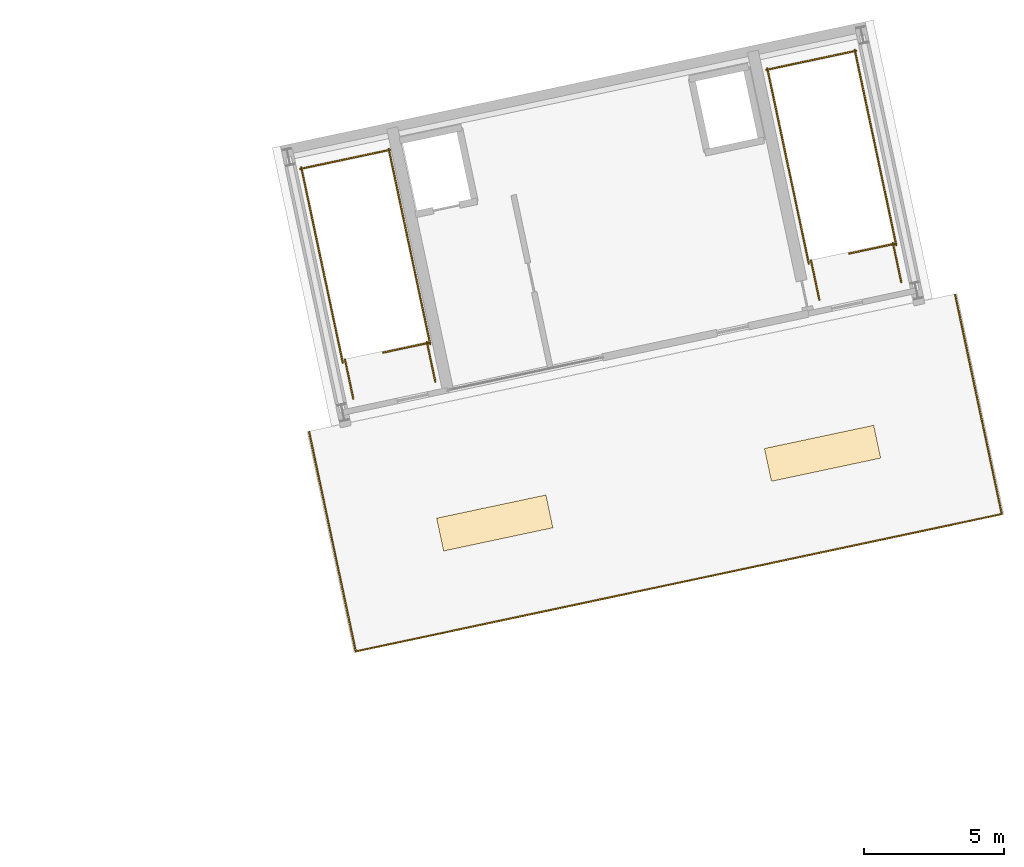
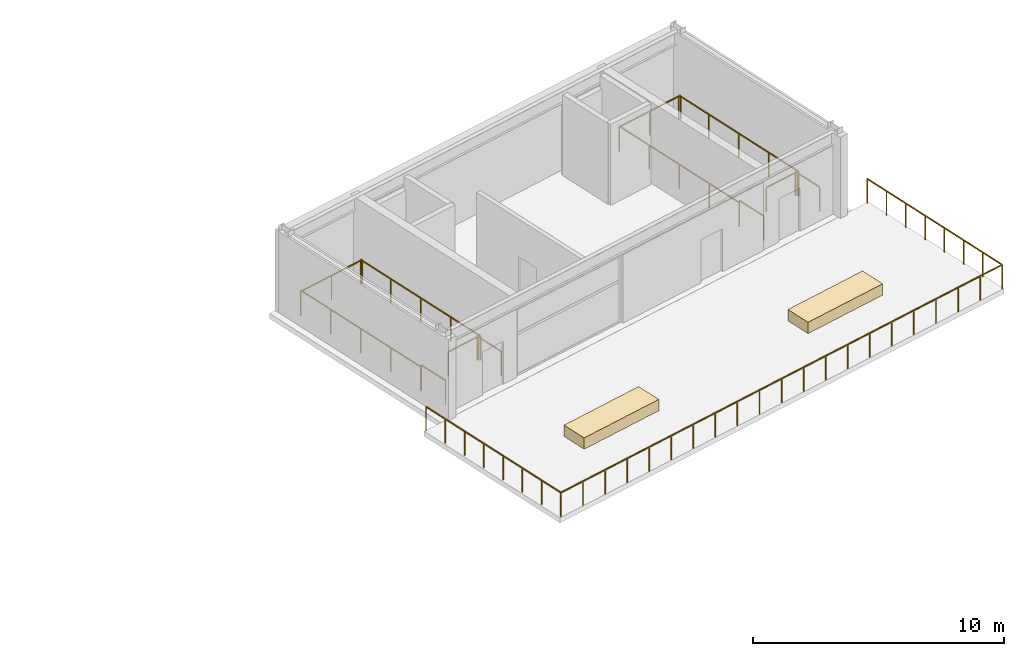
# One storey, part 16 of 16: 15 railings, 2 coverings.
"""IFC4 building model written with IfcOpenShell, lengths in metres."""

from ifc_helpers import new_model, si_unit, direction, frame, origin, origin_2d, place, context, subcontext, project, spatial, rectangle, extrude, material, layer, layer_set, type_object, element, save


model = new_model("IFC4")

# Units and contexts
model_context = context("Model", 3, precision=1e-05, world=origin(), true_north=direction((0.0, 1.0)))
body_context = subcontext(model_context, "Body", "Model", "MODEL_VIEW")
ifc_project = project(units=[si_unit("LENGTHUNIT", "METRE"), si_unit("AREAUNIT", "SQUARE_METRE"), si_unit("VOLUMEUNIT", "CUBIC_METRE"), si_unit("PLANEANGLEUNIT", "RADIAN"), si_unit("MASSUNIT", "GRAM", prefix="KILO")], contexts=[model_context])

# Site, building, storey
site_placement = place(None, origin())
site = spatial("IfcSite", under=ifc_project, at=site_placement, CompositionType="ELEMENT")
building_placement = place(site_placement, origin())
building = spatial("IfcBuilding", under=site, at=building_placement, Name="Haevon Station Towers", CompositionType="ELEMENT")
storey_placement = place(building_placement, frame((0.0, 0.0, 235.199951171875)))
storey = spatial("IfcBuildingStorey", under=building, at=storey_placement, Name="L65", CompositionType="ELEMENT", Elevation=235.199951171875)

# Railings
ifc_material_1 = material(Name="Steel S355", Category="steel")
railing_type_1 = type_object("IfcRailingType", Name="GRD-EXT1200", PredefinedType="GUARDRAIL", material=ifc_material_1)
railing_1_placement = place(storey_placement, frame((99.216796875, 28.8876953125, 0.0)))
element("IfcRailing", 1, at=railing_1_placement, inside=storey, type_object=railing_type_1, Name="L65 Perimeter Guardrail 1", PredefinedType="GUARDRAIL", context=body_context, shape_type="SweptSolid", body=[
    extrude(rectangle(XDim=0.048095703125, YDim=0.048095703125, at=origin_2d()), frame((0.0, 0.0, 1.17578125), z_axis=(0.978146150172, 0.207918515055, 0.0), x_axis=(-0.207918515055, 0.978146150172, 0.0)), (0.0, 0.0, 1.0), 23.648681640625),
    extrude(rectangle(XDim=0.0419921875, YDim=0.0419921875, at=origin_2d()), origin(), (0.0, 0.0, 1.0), 1.15185546875),
    extrude(rectangle(XDim=0.0419921875, YDim=0.0419921875, at=origin_2d()), frame((1.156494140625, 0.245849609375, 0.0)), (0.0, 0.0, 1.0), 1.15185546875),
    extrude(rectangle(XDim=0.0419921875, YDim=0.0419921875, at=origin_2d()), frame((2.313232421875, 0.49169921875, 0.0)), (0.0, 0.0, 1.0), 1.15185546875),
    extrude(rectangle(XDim=0.0419921875, YDim=0.0419921875, at=origin_2d()), frame((3.4697265625, 0.737548828125, 0.0)), (0.0, 0.0, 1.0), 1.15185546875),
    extrude(rectangle(XDim=0.0419921875, YDim=0.0419921875, at=origin_2d()), frame((4.62646484375, 0.9833984375, 0.0)), (0.0, 0.0, 1.0), 1.15185546875),
    extrude(rectangle(XDim=0.0419921875, YDim=0.0419921875, at=origin_2d()), frame((5.782958984375, 1.229248046875, 0.0)), (0.0, 0.0, 1.0), 1.15185546875),
    extrude(rectangle(XDim=0.0419921875, YDim=0.0419921875, at=origin_2d()), frame((6.939453125, 1.47509765625, 0.0)), (0.0, 0.0, 1.0), 1.15185546875),
    extrude(rectangle(XDim=0.0419921875, YDim=0.0419921875, at=origin_2d()), frame((8.09619140625, 1.720947265625, 0.0)), (0.0, 0.0, 1.0), 1.15185546875),
    extrude(rectangle(XDim=0.0419921875, YDim=0.0419921875, at=origin_2d()), frame((9.252685546875, 1.966796875, 0.0)), (0.0, 0.0, 1.0), 1.15185546875),
    extrude(rectangle(XDim=0.0419921875, YDim=0.0419921875, at=origin_2d()), frame((10.409423828125, 2.212646484375, 0.0)), (0.0, 0.0, 1.0), 1.15185546875),
    extrude(rectangle(XDim=0.0419921875, YDim=0.0419921875, at=origin_2d()), frame((11.56591796875, 2.45849609375, 0.0)), (0.0, 0.0, 1.0), 1.15185546875),
    extrude(rectangle(XDim=0.0419921875, YDim=0.0419921875, at=origin_2d()), frame((12.722412109375, 2.704345703125, 0.0)), (0.0, 0.0, 1.0), 1.15185546875),
    extrude(rectangle(XDim=0.0419921875, YDim=0.0419921875, at=origin_2d()), frame((13.879150390625, 2.9501953125, 0.0)), (0.0, 0.0, 1.0), 1.15185546875),
    extrude(rectangle(XDim=0.0419921875, YDim=0.0419921875, at=origin_2d()), frame((15.03564453125, 3.196044921875, 0.0)), (0.0, 0.0, 1.0), 1.15185546875),
    extrude(rectangle(XDim=0.0419921875, YDim=0.0419921875, at=origin_2d()), frame((16.1923828125, 3.44189453125, 0.0)), (0.0, 0.0, 1.0), 1.15185546875),
    extrude(rectangle(XDim=0.0419921875, YDim=0.0419921875, at=origin_2d()), frame((17.348876953125, 3.687744140625, 0.0)), (0.0, 0.0, 1.0), 1.15185546875),
    extrude(rectangle(XDim=0.0419921875, YDim=0.0419921875, at=origin_2d()), frame((18.50537109375, 3.93359375, 0.0)), (0.0, 0.0, 1.0), 1.15185546875),
    extrude(rectangle(XDim=0.0419921875, YDim=0.0419921875, at=origin_2d()), frame((19.662109375, 4.179443359375, 0.0)), (0.0, 0.0, 1.0), 1.15185546875),
    extrude(rectangle(XDim=0.0419921875, YDim=0.0419921875, at=origin_2d()), frame((20.818603515625, 4.42529296875, 0.0)), (0.0, 0.0, 1.0), 1.15185546875),
    extrude(rectangle(XDim=0.0419921875, YDim=0.0419921875, at=origin_2d()), frame((21.975341796875, 4.671142578125, 0.0)), (0.0, 0.0, 1.0), 1.15185546875),
    extrude(rectangle(XDim=0.0419921875, YDim=0.0419921875, at=origin_2d()), frame((23.1318359375, 4.9169921875, 0.0)), (0.0, 0.0, 1.0), 1.15185546875),
])
railing_2_placement = place(storey_placement, frame((122.3486328125, 33.8046875, 0.0)))
element("IfcRailing", 2, at=railing_2_placement, inside=storey, type_object=railing_type_1, Name="L65 Perimeter Guardrail 2", PredefinedType="GUARDRAIL", context=body_context, shape_type="SweptSolid", body=[
    extrude(rectangle(XDim=0.048095703125, YDim=0.048095703125, at=origin_2d()), frame((0.0, 0.0, 1.17578125), z_axis=(-0.207930721623, 0.978143555418, 0.0), x_axis=(-0.978143555418, -0.207930721623, 0.0)), (0.0, 0.0, 1.0), 8.033447265625),
    extrude(rectangle(XDim=0.0419921875, YDim=0.0419921875, at=origin_2d()), origin(), (0.0, 0.0, 1.0), 1.15185546875),
    extrude(rectangle(XDim=0.0419921875, YDim=0.0419921875, at=origin_2d()), frame((-0.238525390625, 1.12255859375, 0.0)), (0.0, 0.0, 1.0), 1.15185546875),
    extrude(rectangle(XDim=0.0419921875, YDim=0.0419921875, at=origin_2d()), frame((-0.477294921875, 2.2451171875, 0.0)), (0.0, 0.0, 1.0), 1.15185546875),
    extrude(rectangle(XDim=0.0419921875, YDim=0.0419921875, at=origin_2d()), frame((-0.7158203125, 3.36767578125, 0.0)), (0.0, 0.0, 1.0), 1.15185546875),
    extrude(rectangle(XDim=0.0419921875, YDim=0.0419921875, at=origin_2d()), frame((-0.95458984375, 4.490234375, 0.0)), (0.0, 0.0, 1.0), 1.15185546875),
    extrude(rectangle(XDim=0.0419921875, YDim=0.0419921875, at=origin_2d()), frame((-1.193115234375, 5.61279296875, 0.0)), (0.0, 0.0, 1.0), 1.15185546875),
    extrude(rectangle(XDim=0.0419921875, YDim=0.0419921875, at=origin_2d()), frame((-1.431884765625, 6.7353515625, 0.0)), (0.0, 0.0, 1.0), 1.15185546875),
    extrude(rectangle(XDim=0.0419921875, YDim=0.0419921875, at=origin_2d()), frame((-1.67041015625, 7.85791015625, 0.0)), (0.0, 0.0, 1.0), 1.15185546875),
])
railing_3_placement = place(storey_placement, frame((97.546630859375, 36.745849609375, 0.0)))
element("IfcRailing", 3, at=railing_3_placement, inside=storey, type_object=railing_type_1, Name="L65 Perimeter Guardrail 3", PredefinedType="GUARDRAIL", context=body_context, shape_type="SweptSolid", body=[
    extrude(rectangle(XDim=0.048095703125, YDim=0.048095703125, at=origin_2d()), frame((0.0, 0.0, 1.17578125), z_axis=(0.20789546493, -0.978151049512, 0.0), x_axis=(0.978151049512, 0.20789546493, 0.0)), (0.0, 0.0, 1.0), 8.03369140625),
    extrude(rectangle(XDim=0.0419921875, YDim=0.0419921875, at=origin_2d()), origin(), (0.0, 0.0, 1.0), 1.15185546875),
    extrude(rectangle(XDim=0.0419921875, YDim=0.0419921875, at=origin_2d()), frame((0.238525390625, -1.12255859375, 0.0)), (0.0, 0.0, 1.0), 1.15185546875),
    extrude(rectangle(XDim=0.0419921875, YDim=0.0419921875, at=origin_2d()), frame((0.477294921875, -2.2451171875, 0.0)), (0.0, 0.0, 1.0), 1.15185546875),
    extrude(rectangle(XDim=0.0419921875, YDim=0.0419921875, at=origin_2d()), frame((0.7158203125, -3.36767578125, 0.0)), (0.0, 0.0, 1.0), 1.15185546875),
    extrude(rectangle(XDim=0.0419921875, YDim=0.0419921875, at=origin_2d()), frame((0.954345703125, -4.490478515625, 0.0)), (0.0, 0.0, 1.0), 1.15185546875),
    extrude(rectangle(XDim=0.0419921875, YDim=0.0419921875, at=origin_2d()), frame((1.19287109375, -5.613037109375, 0.0)), (0.0, 0.0, 1.0), 1.15185546875),
    extrude(rectangle(XDim=0.0419921875, YDim=0.0419921875, at=origin_2d()), frame((1.431640625, -6.735595703125, 0.0)), (0.0, 0.0, 1.0), 1.15185546875),
    extrude(rectangle(XDim=0.0419921875, YDim=0.0419921875, at=origin_2d()), frame((1.670166015625, -7.858154296875, 0.0)), (0.0, 0.0, 1.0), 1.15185546875),
])
railing_type_2 = type_object("IfcRailingType", Name="GRD-STR1200", PredefinedType="GUARDRAIL", material=ifc_material_1)
railing_4_placement = place(storey_placement, frame((101.8212890625, 39.934814453125, 0.0)))
element("IfcRailing", 4, at=railing_4_placement, inside=storey, type_object=railing_type_2, Name="L65 ST3 Top Well Guard 1", PredefinedType="GUARDRAIL", context=body_context, shape_type="SweptSolid", body=[
    extrude(rectangle(XDim=0.048095703125, YDim=0.048095703125, at=origin_2d()), frame((0.0, 0.0, 1.17578125), z_axis=(-0.978153962198, -0.207881760231, 0.0), x_axis=(0.207881760231, -0.978153962198, 0.0)), (0.0, 0.0, 1.0), 1.650146484375),
    extrude(rectangle(XDim=0.0419921875, YDim=0.0419921875, at=origin_2d()), origin(), (0.0, 0.0, 1.0), 1.15185546875),
    extrude(rectangle(XDim=0.0419921875, YDim=0.0419921875, at=origin_2d()), frame((-1.614013671875, -0.343017578125, 0.0)), (0.0, 0.0, 1.0), 1.15185546875),
])
railing_5_placement = place(storey_placement, frame((101.88037109375, 39.896484375, 0.0)))
element("IfcRailing", 5, at=railing_5_placement, inside=storey, type_object=railing_type_2, Name="L65 ST3 Top Well Guard 2", PredefinedType="GUARDRAIL", context=body_context, shape_type="SweptSolid", body=[
    extrude(rectangle(XDim=0.048095703125, YDim=0.048095703125, at=origin_2d()), frame((0.0, 0.0, 1.17578125), z_axis=(-0.207882442208, 0.978153817261, 0.0), x_axis=(-0.978153817261, -0.207882442208, 0.0)), (0.0, 0.0, 1.0), 7.14990234375),
    extrude(rectangle(XDim=0.0419921875, YDim=0.0419921875, at=origin_2d()), origin(), (0.0, 0.0, 1.0), 1.15185546875),
    extrude(rectangle(XDim=0.0419921875, YDim=0.0419921875, at=origin_2d()), frame((-0.37158203125, 1.74853515625, 0.0)), (0.0, 0.0, 1.0), 1.15185546875),
    extrude(rectangle(XDim=0.0419921875, YDim=0.0419921875, at=origin_2d()), frame((-0.7431640625, 3.496826171875, 0.0)), (0.0, 0.0, 1.0), 1.15185546875),
    extrude(rectangle(XDim=0.0419921875, YDim=0.0419921875, at=origin_2d()), frame((-1.11474609375, 5.2451171875, 0.0)), (0.0, 0.0, 1.0), 1.15185546875),
    extrude(rectangle(XDim=0.0419921875, YDim=0.0419921875, at=origin_2d()), frame((-1.486328125, 6.99365234375, 0.0)), (0.0, 0.0, 1.0), 1.15185546875),
])
railing_6_placement = place(storey_placement, frame((98.75048828125, 39.231201171875, 0.0)))
element("IfcRailing", 6, at=railing_6_placement, inside=storey, type_object=railing_type_2, Name="L65 ST3 Top Well Guard 3", PredefinedType="GUARDRAIL", context=body_context, shape_type="SweptSolid", body=[
    extrude(rectangle(XDim=0.048095703125, YDim=0.048095703125, at=origin_2d()), frame((0.0, 0.0, 1.17578125), z_axis=(-0.207915112487, 0.978146873429, 0.0), x_axis=(-0.978146873429, -0.207915112487, 0.0)), (0.0, 0.0, 1.0), 7.14990234375),
    extrude(rectangle(XDim=0.0419921875, YDim=0.0419921875, at=origin_2d()), origin(), (0.0, 0.0, 1.0), 1.15185546875),
    extrude(rectangle(XDim=0.0419921875, YDim=0.0419921875, at=origin_2d()), frame((-0.37158203125, 1.74853515625, 0.0)), (0.0, 0.0, 1.0), 1.15185546875),
    extrude(rectangle(XDim=0.0419921875, YDim=0.0419921875, at=origin_2d()), frame((-0.7431640625, 3.496826171875, 0.0)), (0.0, 0.0, 1.0), 1.15185546875),
    extrude(rectangle(XDim=0.0419921875, YDim=0.0419921875, at=origin_2d()), frame((-1.114990234375, 5.2451171875, 0.0)), (0.0, 0.0, 1.0), 1.15185546875),
    extrude(rectangle(XDim=0.0419921875, YDim=0.0419921875, at=origin_2d()), frame((-1.486572265625, 6.99365234375, 0.0)), (0.0, 0.0, 1.0), 1.15185546875),
])
railing_7_placement = place(storey_placement, frame((100.453125, 46.8515625, 0.0)))
element("IfcRailing", 7, at=railing_7_placement, inside=storey, type_object=railing_type_2, Name="L65 ST3 Top Well Guard 4", PredefinedType="GUARDRAIL", context=body_context, shape_type="SweptSolid", body=[
    extrude(rectangle(XDim=0.048095703125, YDim=0.048095703125, at=origin_2d()), frame((0.0, 0.0, 1.17578125), z_axis=(-0.978150764849, -0.207896804268, 0.0), x_axis=(0.207896804268, -0.978150764849, 0.0)), (0.0, 0.0, 1.0), 3.2998046875),
    extrude(rectangle(XDim=0.0419921875, YDim=0.0419921875, at=origin_2d()), origin(), (0.0, 0.0, 1.0), 1.15185546875),
    extrude(rectangle(XDim=0.0419921875, YDim=0.0419921875, at=origin_2d()), frame((-1.61376953125, -0.343017578125, 0.0)), (0.0, 0.0, 1.0), 1.15185546875),
    extrude(rectangle(XDim=0.0419921875, YDim=0.0419921875, at=origin_2d()), frame((-3.227783203125, -0.68603515625, 0.0)), (0.0, 0.0, 1.0), 1.15185546875),
])
for number, where, name in (
    (8, (102.0634765625, 38.55517578125, 0.0), "L65 ST3 Top Well Guard 5"),
    (9, (99.12890625, 37.931396484375, 0.0), "L65 ST3 Top Well Guard 6"),
):
    element("IfcRailing", number, at=place(storey_placement, frame(where)), inside=storey, type_object=railing_type_2, Name=name, PredefinedType="GUARDRAIL", context=body_context, shape_type="SweptSolid", body=[
        extrude(rectangle(XDim=0.048095703125, YDim=0.048095703125, at=origin_2d()), frame((0.0, 0.0, 1.17578125), z_axis=(-0.207953405961, 0.978138732977, 0.0), x_axis=(-0.978138732977, -0.207953405961, 0.0)), (0.0, 0.0, 1.0), 1.449951171875),
        extrude(rectangle(XDim=0.0419921875, YDim=0.0419921875, at=origin_2d()), origin(), (0.0, 0.0, 1.0), 1.15185546875),
        extrude(rectangle(XDim=0.0419921875, YDim=0.0419921875, at=origin_2d()), frame((-0.301513671875, 1.418212890625, 0.0)), (0.0, 0.0, 1.0), 1.15185546875),
    ])
railing_8_placement = place(storey_placement, frame((118.50830078125, 43.48193359375, 0.0)))
element("IfcRailing", 10, at=railing_8_placement, inside=storey, type_object=railing_type_2, Name="L65 ST4 Top Well Guard 1", PredefinedType="GUARDRAIL", context=body_context, shape_type="SweptSolid", body=[
    extrude(rectangle(XDim=0.048095703125, YDim=0.048095703125, at=origin_2d()), frame((0.0, 0.0, 1.17578125), z_axis=(-0.978147566806, -0.207911850433, 0.0), x_axis=(0.207911850433, -0.978147566806, 0.0)), (0.0, 0.0, 1.0), 1.64990234375),
    extrude(rectangle(XDim=0.0419921875, YDim=0.0419921875, at=origin_2d()), origin(), (0.0, 0.0, 1.0), 1.15185546875),
    extrude(rectangle(XDim=0.0419921875, YDim=0.0419921875, at=origin_2d()), frame((-1.61376953125, -0.343017578125, 0.0)), (0.0, 0.0, 1.0), 1.15185546875),
])
railing_9_placement = place(storey_placement, frame((118.567626953125, 43.443359375, 0.0)))
element("IfcRailing", 11, at=railing_9_placement, inside=storey, type_object=railing_type_2, Name="L65 ST4 Top Well Guard 2", PredefinedType="GUARDRAIL", context=body_context, shape_type="SweptSolid", body=[
    extrude(rectangle(XDim=0.048095703125, YDim=0.048095703125, at=origin_2d()), frame((0.0, 0.0, 1.17578125), z_axis=(-0.207908168386, 0.978148349443, 0.0), x_axis=(-0.978148349443, -0.207908168386, 0.0)), (0.0, 0.0, 1.0), 7.150146484375),
    extrude(rectangle(XDim=0.0419921875, YDim=0.0419921875, at=origin_2d()), origin(), (0.0, 0.0, 1.0), 1.15185546875),
    extrude(rectangle(XDim=0.0419921875, YDim=0.0419921875, at=origin_2d()), frame((-0.37158203125, 1.74853515625, 0.0)), (0.0, 0.0, 1.0), 1.15185546875),
    extrude(rectangle(XDim=0.0419921875, YDim=0.0419921875, at=origin_2d()), frame((-0.7431640625, 3.4970703125, 0.0)), (0.0, 0.0, 1.0), 1.15185546875),
    extrude(rectangle(XDim=0.0419921875, YDim=0.0419921875, at=origin_2d()), frame((-1.114990234375, 5.245361328125, 0.0)), (0.0, 0.0, 1.0), 1.15185546875),
    extrude(rectangle(XDim=0.0419921875, YDim=0.0419921875, at=origin_2d()), frame((-1.486572265625, 6.993896484375, 0.0)), (0.0, 0.0, 1.0), 1.15185546875),
])
railing_10_placement = place(storey_placement, frame((115.4375, 42.778076171875, 0.0)))
element("IfcRailing", 12, at=railing_10_placement, inside=storey, type_object=railing_type_2, Name="L65 ST4 Top Well Guard 3", PredefinedType="GUARDRAIL", context=body_context, shape_type="SweptSolid", body=[
    extrude(rectangle(XDim=0.048095703125, YDim=0.048095703125, at=origin_2d()), frame((0.0, 0.0, 1.17578125), z_axis=(-0.207882442208, 0.978153817261, 0.0), x_axis=(-0.978153817261, -0.207882442208, 0.0)), (0.0, 0.0, 1.0), 7.14990234375),
    extrude(rectangle(XDim=0.0419921875, YDim=0.0419921875, at=origin_2d()), origin(), (0.0, 0.0, 1.0), 1.15185546875),
    extrude(rectangle(XDim=0.0419921875, YDim=0.0419921875, at=origin_2d()), frame((-0.37158203125, 1.74853515625, 0.0)), (0.0, 0.0, 1.0), 1.15185546875),
    extrude(rectangle(XDim=0.0419921875, YDim=0.0419921875, at=origin_2d()), frame((-0.7431640625, 3.496826171875, 0.0)), (0.0, 0.0, 1.0), 1.15185546875),
    extrude(rectangle(XDim=0.0419921875, YDim=0.0419921875, at=origin_2d()), frame((-1.11474609375, 5.2451171875, 0.0)), (0.0, 0.0, 1.0), 1.15185546875),
    extrude(rectangle(XDim=0.0419921875, YDim=0.0419921875, at=origin_2d()), frame((-1.486328125, 6.99365234375, 0.0)), (0.0, 0.0, 1.0), 1.15185546875),
])
railing_11_placement = place(storey_placement, frame((117.140380859375, 50.398681640625, 0.0)))
element("IfcRailing", 13, at=railing_11_placement, inside=storey, type_object=railing_type_2, Name="L65 ST4 Top Well Guard 4", PredefinedType="GUARDRAIL", context=body_context, shape_type="SweptSolid", body=[
    extrude(rectangle(XDim=0.048095703125, YDim=0.048095703125, at=origin_2d()), frame((0.0, 0.0, 1.17578125), z_axis=(-0.978135717418, -0.207967589567, 0.0), x_axis=(0.207967589567, -0.978135717418, 0.0)), (0.0, 0.0, 1.0), 3.300048828125),
    extrude(rectangle(XDim=0.0419921875, YDim=0.0419921875, at=origin_2d()), origin(), (0.0, 0.0, 1.0), 1.15185546875),
    extrude(rectangle(XDim=0.0419921875, YDim=0.0419921875, at=origin_2d()), frame((-1.61376953125, -0.34326171875, 0.0)), (0.0, 0.0, 1.0), 1.15185546875),
    extrude(rectangle(XDim=0.0419921875, YDim=0.0419921875, at=origin_2d()), frame((-3.227783203125, -0.686279296875, 0.0)), (0.0, 0.0, 1.0), 1.15185546875),
])
for number, where, name in (
    (14, (118.75048828125, 42.10205078125, 0.0), "L65 ST4 Top Well Guard 5"),
    (15, (115.816162109375, 41.478271484375, 0.0), "L65 ST4 Top Well Guard 6"),
):
    element("IfcRailing", number, at=place(storey_placement, frame(where)), inside=storey, type_object=railing_type_2, Name=name, PredefinedType="GUARDRAIL", context=body_context, shape_type="SweptSolid", body=[
        extrude(rectangle(XDim=0.048095703125, YDim=0.048095703125, at=origin_2d()), frame((0.0, 0.0, 1.17578125), z_axis=(-0.207919161079, 0.978146012851, 0.0), x_axis=(-0.978146012851, -0.207919161079, 0.0)), (0.0, 0.0, 1.0), 1.4501953125),
        extrude(rectangle(XDim=0.0419921875, YDim=0.0419921875, at=origin_2d()), origin(), (0.0, 0.0, 1.0), 1.15185546875),
        extrude(rectangle(XDim=0.0419921875, YDim=0.0419921875, at=origin_2d()), frame((-0.301513671875, 1.41845703125, 0.0)), (0.0, 0.0, 1.0), 1.15185546875),
    ])

# Coverings
ifc_material_2 = material(Name="Architectural planter GRC", Category="concrete")
ifc_layer = layer(ifc_material_2, 0.550048828125)
ifc_layer_set = layer_set([ifc_layer], Name="Architectural planter GRC")
covering_type = type_object("IfcCoveringType", Name="PLN-GRC550", PredefinedType="MOLDING", material=ifc_layer_set)
for number, where, z_axis, x_axis, name in (
    (16, (104.193603515625, 33.4873046875, 0.0), (0.0, 0.0, 1.0), (0.978147600734, 0.207911690818, 0.0), "Tower 2 L65 Botanical Park GRC PLANTER 1"),
    (17, (115.931396484375, 35.982177734375, 0.0), (0.0, 0.0, 1.0), (0.978147600734, 0.207911690818, 0.0), "Tower 2 L65 Botanical Park GRC PLANTER 2"),
):
    element("IfcCovering", number, at=place(storey_placement, frame(where, z_axis=z_axis, x_axis=x_axis)), inside=storey, type_object=covering_type, Name=name, PredefinedType="MOLDING", context=body_context, shape_type="SweptSolid", body=[
        extrude(rectangle(XDim=4.0, YDim=1.199951171875, at=origin_2d()), origin(), (0.0, 0.0, 1.0), 0.550048828125),
    ])

save(model, "model.ifc")
